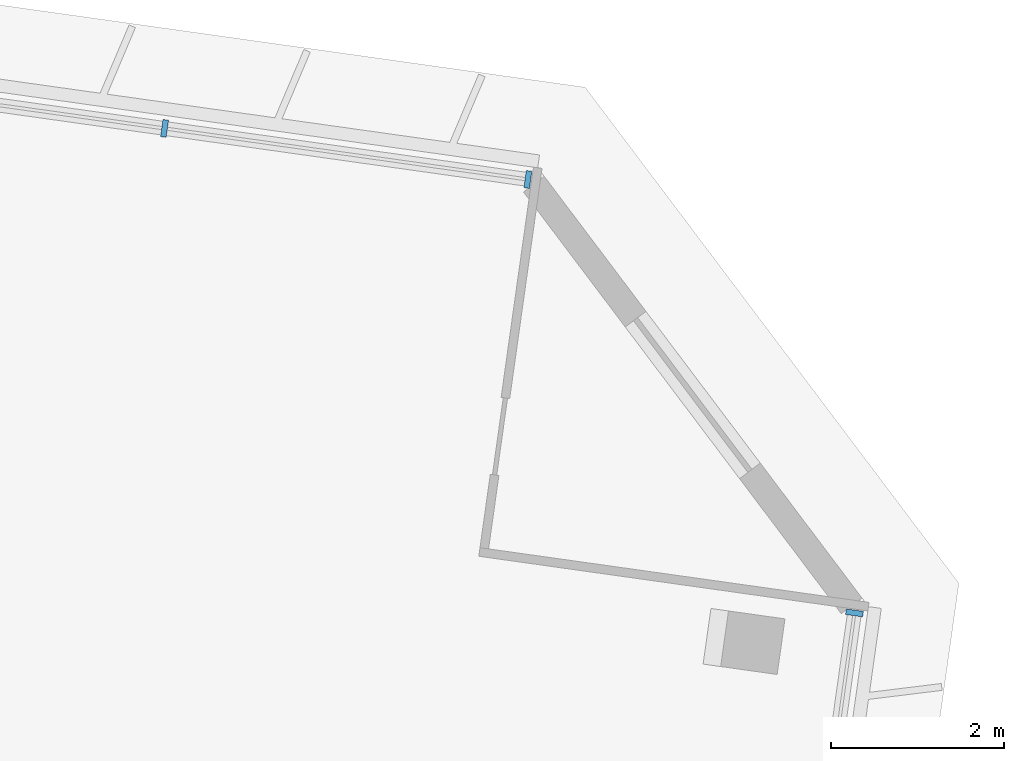
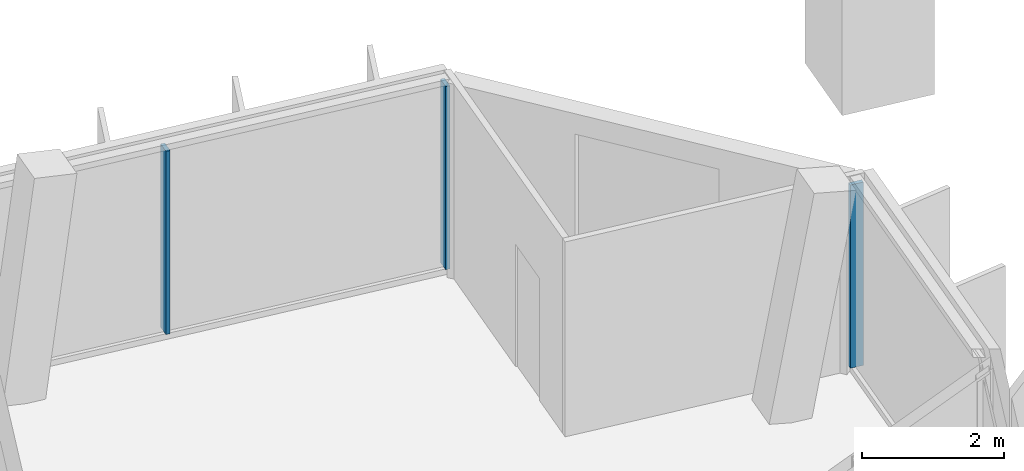
# One storey, part 8 of 26: 3 members, 2 elements without a shape of their own.
"""IFC4 building model written with IfcOpenShell, lengths in metres."""

from ifc_helpers import new_model, si_unit, direction, frame, origin, origin_2d, place, context, subcontext, project, spatial, rectangle, extrude, material, material_profile, profile_set, type_object, element, aggregate, save


model = new_model("IFC4")

# Units and contexts
model_context = context("Model", 3, precision=1e-05, world=origin(), true_north=direction((0.0, 1.0)))
body_context = subcontext(model_context, "Body", "Model", "MODEL_VIEW")
ifc_project = project(units=[si_unit("LENGTHUNIT", "METRE"), si_unit("AREAUNIT", "SQUARE_METRE"), si_unit("VOLUMEUNIT", "CUBIC_METRE"), si_unit("PLANEANGLEUNIT", "RADIAN"), si_unit("MASSUNIT", "GRAM", prefix="KILO")], contexts=[model_context])

# Site, building, storey
site_placement = place(None, origin())
site = spatial("IfcSite", under=ifc_project, at=site_placement, CompositionType="ELEMENT")
building_placement = place(site_placement, origin())
building = spatial("IfcBuilding", under=site, at=building_placement, Name="Mirante Cascada Hotel Towers", CompositionType="ELEMENT")
storey_placement = place(building_placement, frame((0.0, 0.0, 228.0)))
storey = spatial("IfcBuildingStorey", under=building, at=storey_placement, Name="L54", CompositionType="ELEMENT", Elevation=228.0)

# Curtain wall, members
ifc_material_1 = material(Name="Aluminium mullion and transom frame with clear laminated glass", Category="aluminium")
curtain_wall_type_1 = type_object("IfcCurtainWallType", Name="Ribbon curtain wall ECW1", PredefinedType="NOTDEFINED", material=ifc_material_1)
curtain_wall_1_placement = place(storey_placement, origin())
curtain_wall_1 = element("IfcCurtainWall", 1, at=curtain_wall_1_placement, inside=storey, type_object=curtain_wall_type_1, Name="Front ribbon wall T1 L54", PredefinedType="NOTDEFINED")
ifc_material_2 = material(Name="Anodised aluminium extrusion", Category="aluminium")
ifc_material_profile_1 = material_profile(ifc_material_2, rectangle(XDim=0.2, YDim=0.065, at=origin_2d()), Name="ECW1 MULLION 65x200")
ifc_profile_set_1 = profile_set([ifc_material_profile_1], Name="Anodised aluminium extrusion")
member_type_1 = type_object("IfcMemberType", Name="ECW1 mullion 65x200", PredefinedType="MULLION", material=ifc_profile_set_1)
member_1_placement = place(storey_placement, frame((-29.2633, 16.9317, 0.1), z_axis=(0.0, 0.0, 1.0), x_axis=(0.1391731, 0.9902681, 0.0)))
member_1 = element("IfcMember", 2, at=member_1_placement, type_object=member_type_1, Name="ECW1 mullion 10", PredefinedType="MULLION", context=body_context, shape_type="SweptSolid", body=[
    extrude(rectangle(XDim=0.2, YDim=0.065, at=origin_2d()), origin(), (0.0, 0.0, 1.0), 3.15),
])
member_2_placement = place(storey_placement, frame((-25.0557, 16.3404, 0.1), z_axis=(0.0, 0.0, 1.0), x_axis=(0.1391731, 0.9902681, 0.0)))
member_2 = element("IfcMember", 3, at=member_2_placement, type_object=member_type_1, Name="ECW1 mullion 11", PredefinedType="MULLION", context=body_context, shape_type="SweptSolid", body=[
    extrude(rectangle(XDim=0.2, YDim=0.065, at=origin_2d()), origin(), (0.0, 0.0, 1.0), 3.15),
])
aggregate(curtain_wall_1, [member_1, member_2])

# Curtain wall, member
ifc_material_3 = material(Name="Aluminium mullion and transom frame with clear laminated glass", Category="aluminium")
curtain_wall_type_2 = type_object("IfcCurtainWallType", Name="End ribbon curtain wall ECW2", PredefinedType="NOTDEFINED", material=ifc_material_3)
curtain_wall_2_placement = place(storey_placement, origin())
curtain_wall_2 = element("IfcCurtainWall", 4, at=curtain_wall_2_placement, inside=storey, type_object=curtain_wall_type_2, Name="Inner end wall T1 L54", PredefinedType="NOTDEFINED")
ifc_material_4 = material(Name="Anodised aluminium extrusion", Category="aluminium")
ifc_material_profile_2 = material_profile(ifc_material_4, rectangle(XDim=0.2, YDim=0.065, at=origin_2d()), Name="ECW2 MULLION 65x200")
ifc_profile_set_2 = profile_set([ifc_material_profile_2], Name="Anodised aluminium extrusion")
member_type_2 = type_object("IfcMemberType", Name="ECW2 mullion 65x200", PredefinedType="MULLION", material=ifc_profile_set_2)
member_3_placement = place(storey_placement, frame((-21.2729, 11.3204, 0.1), z_axis=(0.0, 0.0, 1.0), x_axis=(0.9902681, -0.1391731, 0.0)))
member_3 = element("IfcMember", 5, at=member_3_placement, type_object=member_type_2, Name="ECW2 mullion 1", PredefinedType="MULLION", context=body_context, shape_type="SweptSolid", body=[
    extrude(rectangle(XDim=0.2, YDim=0.065, at=origin_2d()), origin(), (0.0, 0.0, 1.0), 3.15),
])
aggregate(curtain_wall_2, [member_3])

save(model, "model.ifc")
